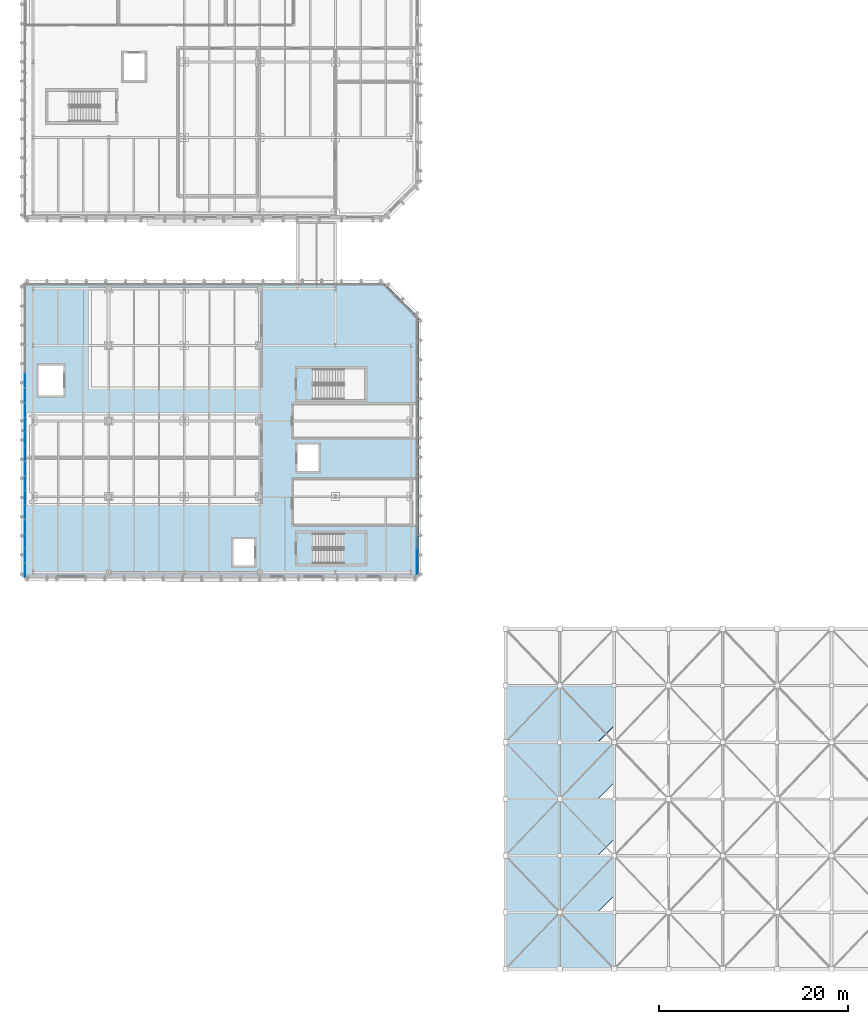
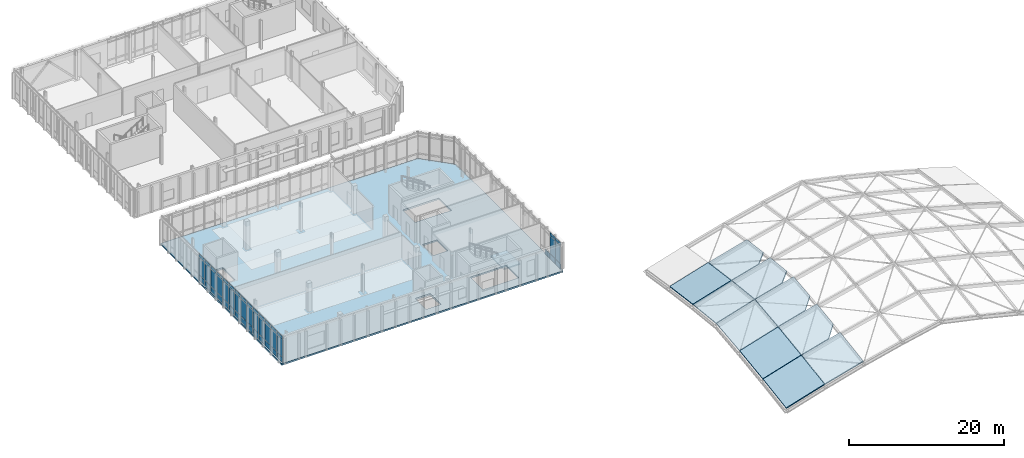
# One storey, part 29 of 62: 49 plates, 12 slabs, 6 elements without a shape of their own.
"""IFC4 building model written with IfcOpenShell, lengths in metres."""

from ifc_helpers import new_model, si_unit, direction, frame, origin, origin_2d, place, context, subcontext, project, spatial, polyline, rectangle, outline, extrude, material, layer, layer_set, type_object, element, aggregate, save


model = new_model("IFC4")

# Units and contexts
model_context = context("Model", 3, precision=1e-05, world=origin(), true_north=direction((0.0, 1.0)))
body_context = subcontext(model_context, "Body", "Model", "MODEL_VIEW")
ifc_project = project(units=[si_unit("LENGTHUNIT", "METRE"), si_unit("AREAUNIT", "SQUARE_METRE"), si_unit("VOLUMEUNIT", "CUBIC_METRE"), si_unit("PLANEANGLEUNIT", "RADIAN"), si_unit("MASSUNIT", "GRAM", prefix="KILO")], contexts=[model_context])

# Site, building, storey
site_placement = place(None, origin())
site = spatial("IfcSite", under=ifc_project, at=site_placement, CompositionType="ELEMENT")
building_placement = place(site_placement, origin())
building = spatial("IfcBuilding", under=site, at=building_placement, Name="Cymarion Research Institute", CompositionType="ELEMENT")
storey_placement = place(building_placement, frame((0.0, 0.0, 18.300048828125)))
storey = spatial("IfcBuildingStorey", under=building, at=storey_placement, Name="L04", CompositionType="ELEMENT", Elevation=18.300048828125)

# Slab
ifc_material_1 = material(Name="Concrete C35/45", Category="concrete")
ifc_layer_1 = layer(ifc_material_1, 0.25)
ifc_layer_set_1 = layer_set([ifc_layer_1], Name="Concrete C35/45")
slab_type_1 = type_object("IfcSlabType", Name="COMPOSITE FLOOR SLAB SL-FL250 250MM", PredefinedType="FLOOR", material=ifc_layer_set_1)
slab_1_placement = place(storey_placement, frame((0.0, 0.0, -0.25)))
element("IfcSlab", 1, at=slab_1_placement, inside=storey, type_object=slab_type_1, Name="L04 V4 floor slab", PredefinedType="FLOOR", context=body_context, shape_type="SweptSolid", body=[
    extrude(outline(polyline([(5.60009765625, 46.89990234375), (47.39990234375, 46.89990234375), (47.39990234375, 74.5), (43.800048828125, 78.10009765625), (5.60009765625, 78.10009765625), (5.60009765625, 46.89990234375)]), holes=[polyline([(36.340087890625, 48.39990234375), (41.699951171875, 48.39990234375), (41.699951171875, 51.60009765625), (36.340087890625, 51.60009765625), (36.340087890625, 48.39990234375)]), polyline([(27.800048828125, 48.199951171875), (30.0, 48.199951171875), (30.0, 51.0), (27.800048828125, 51.0), (27.800048828125, 48.199951171875)]), polyline([(36.340087890625, 65.800048828125), (41.699951171875, 65.800048828125), (41.699951171875, 69.0), (36.340087890625, 69.0), (36.340087890625, 65.800048828125)]), polyline([(34.60009765625, 58.199951171875), (36.800048828125, 58.199951171875), (36.800048828125, 61.0), (34.60009765625, 61.0), (34.60009765625, 58.199951171875)]), polyline([(7.199951171875, 66.199951171875), (9.800048828125, 66.199951171875), (9.800048828125, 69.39990234375), (7.199951171875, 69.39990234375), (7.199951171875, 66.199951171875)])]), origin(), (0.0, 0.0, 1.0), 0.25),
])

# Curtain wall, plates
ifc_material_2 = material(Name="Anodised aluminium unitised curtain wall with Low-E glazing", Category="aluminium")
curtain_wall_type_1 = type_object("IfcCurtainWallType", Name="UNITISED CURTAIN WALL CW40 6820X4280", PredefinedType="NOTDEFINED", material=ifc_material_2)
curtain_wall_1_placement = place(storey_placement, origin())
curtain_wall_1 = element("IfcCurtainWall", 2, at=curtain_wall_1_placement, inside=storey, type_object=curtain_wall_type_1, Name="L04 V4 unitised curtain wall CW40 #177", PredefinedType="NOTDEFINED")
ifc_material_3 = material(Name="Insulated anodised aluminium spandrel panel", Category="aluminium")
ifc_layer_2 = layer(ifc_material_3, 0.06005859375)
ifc_layer_set_2 = layer_set([ifc_layer_2], Name="Insulated anodised aluminium spandrel panel")
plate_type_1 = type_object("IfcPlateType", Name="INSULATED ALUMINIUM SPANDREL PANEL SP01 60MM", PredefinedType="SHEET", material=ifc_layer_set_2)
plate_1_placement = place(storey_placement, frame((47.22998046875, 47.9189453125, 0.059814453125), z_axis=(0.0, 0.0, 1.0), x_axis=(0.0, 1.0, 0.0)))
plate_1 = element("IfcPlate", 3, at=plate_1_placement, type_object=plate_type_1, Name="CW40 panel 1.1", PredefinedType="SHEET", context=body_context, shape_type="SweptSolid", body=[
    extrude(rectangle(XDim=1.27392578125, YDim=0.06005859375, at=origin_2d()), origin(), (0.0, 0.0, 1.0), 0.81005859375),
])
plate_2_placement = place(storey_placement, frame((47.22998046875, 47.9189453125, 3.760009765625), z_axis=(0.0, 0.0, 1.0), x_axis=(0.0, 1.0, 0.0)))
plate_2 = element("IfcPlate", 4, at=plate_2_placement, type_object=plate_type_1, Name="CW40 panel 1.3", PredefinedType="SHEET", context=body_context, shape_type="SweptSolid", body=[
    extrude(rectangle(XDim=1.27392578125, YDim=0.06005859375, at=origin_2d()), origin(), (0.0, 0.0, 1.0), 0.4599609375),
])
plate_3_placement = place(storey_placement, frame((47.22998046875, 49.267822265625, 0.059814453125), z_axis=(0.0, 0.0, 1.0), x_axis=(0.0, 1.0, 0.0)))
plate_3 = element("IfcPlate", 5, at=plate_3_placement, type_object=plate_type_1, Name="CW40 panel 2.1", PredefinedType="SHEET", context=body_context, shape_type="SweptSolid", body=[
    extrude(rectangle(XDim=1.303955078125, YDim=0.06005859375, at=origin_2d()), origin(), (0.0, 0.0, 1.0), 0.81005859375),
])
plate_4_placement = place(storey_placement, frame((47.22998046875, 49.267822265625, 3.760009765625), z_axis=(0.0, 0.0, 1.0), x_axis=(0.0, 1.0, 0.0)))
plate_4 = element("IfcPlate", 6, at=plate_4_placement, type_object=plate_type_1, Name="CW40 panel 2.3", PredefinedType="SHEET", context=body_context, shape_type="SweptSolid", body=[
    extrude(rectangle(XDim=1.303955078125, YDim=0.06005859375, at=origin_2d()), origin(), (0.0, 0.0, 1.0), 0.4599609375),
])
plate_5_placement = place(storey_placement, frame((47.22998046875, 50.6318359375, 0.059814453125), z_axis=(0.0, 0.0, 1.0), x_axis=(0.0, 1.0, 0.0)))
plate_5 = element("IfcPlate", 7, at=plate_5_placement, type_object=plate_type_1, Name="CW40 panel 3.1", PredefinedType="SHEET", context=body_context, shape_type="SweptSolid", body=[
    extrude(rectangle(XDim=1.303955078125, YDim=0.06005859375, at=origin_2d()), origin(), (0.0, 0.0, 1.0), 0.81005859375),
])

curtain_wall_type_2 = type_object("IfcCurtainWallType", Name="UNITISED CURTAIN WALL CW43 6180X4240", PredefinedType="NOTDEFINED", material=ifc_material_2)
curtain_wall_2_placement = place(storey_placement, origin())
curtain_wall_2 = element("IfcCurtainWall", 8, at=curtain_wall_2_placement, inside=storey, type_object=curtain_wall_type_2, Name="L04 V4 unitised curtain wall CW43 #189", PredefinedType="NOTDEFINED")
plate_6_placement = place(storey_placement, frame((5.77001953125, 67.74267578125, 0.059814453125), z_axis=(0.0, 0.0, 1.0), x_axis=(0.0, -1.0, 0.0)))
plate_6 = element("IfcPlate", 9, at=plate_6_placement, type_object=plate_type_1, Name="CW43 panel 3.1", PredefinedType="SHEET", context=body_context, shape_type="SweptSolid", body=[
    extrude(rectangle(XDim=1.48388671875, YDim=0.06005859375, at=origin_2d()), origin(), (0.0, 0.0, 1.0), 0.81005859375),
])
plate_7_placement = place(storey_placement, frame((5.77001953125, 67.74267578125, 3.719970703125), z_axis=(0.0, 0.0, 1.0), x_axis=(0.0, -1.0, 0.0)))
plate_7 = element("IfcPlate", 10, at=plate_7_placement, type_object=plate_type_1, Name="CW43 panel 3.3", PredefinedType="SHEET", context=body_context, shape_type="SweptSolid", body=[
    extrude(rectangle(XDim=1.48388671875, YDim=0.06005859375, at=origin_2d()), origin(), (0.0, 0.0, 1.0), 0.4599609375),
])
plate_8_placement = place(storey_placement, frame((5.77001953125, 66.2138671875, 0.059814453125), z_axis=(0.0, 0.0, 1.0), x_axis=(0.0, -1.0, 0.0)))
plate_8 = element("IfcPlate", 11, at=plate_8_placement, type_object=plate_type_1, Name="CW43 panel 4.1", PredefinedType="SHEET", context=body_context, shape_type="SweptSolid", body=[
    extrude(rectangle(XDim=1.453857421875, YDim=0.06005859375, at=origin_2d()), origin(), (0.0, 0.0, 1.0), 0.81005859375),
])
plate_9_placement = place(storey_placement, frame((5.77001953125, 66.2138671875, 3.719970703125), z_axis=(0.0, 0.0, 1.0), x_axis=(0.0, -1.0, 0.0)))
plate_9 = element("IfcPlate", 12, at=plate_9_placement, type_object=plate_type_1, Name="CW43 panel 4.3", PredefinedType="SHEET", context=body_context, shape_type="SweptSolid", body=[
    extrude(rectangle(XDim=1.453857421875, YDim=0.06005859375, at=origin_2d()), origin(), (0.0, 0.0, 1.0), 0.4599609375),
])

curtain_wall_3_placement = place(storey_placement, origin())
curtain_wall_3 = element("IfcCurtainWall", 13, at=curtain_wall_3_placement, inside=storey, type_object=curtain_wall_type_2, Name="L04 V4 unitised curtain wall CW43 #190", PredefinedType="NOTDEFINED")
plate_10_placement = place(storey_placement, frame((5.77001953125, 64.639892578125, 0.059814453125), z_axis=(0.0, 0.0, 1.0), x_axis=(0.0, -1.0, 0.0)))
plate_10 = element("IfcPlate", 14, at=plate_10_placement, type_object=plate_type_1, Name="CW43 panel 1.1", PredefinedType="SHEET", context=body_context, shape_type="SweptSolid", body=[
    extrude(rectangle(XDim=1.453857421875, YDim=0.06005859375, at=origin_2d()), origin(), (0.0, 0.0, 1.0), 0.81005859375),
])
plate_11_placement = place(storey_placement, frame((5.77001953125, 64.639892578125, 3.719970703125), z_axis=(0.0, 0.0, 1.0), x_axis=(0.0, -1.0, 0.0)))
plate_11 = element("IfcPlate", 15, at=plate_11_placement, type_object=plate_type_1, Name="CW43 panel 1.3", PredefinedType="SHEET", context=body_context, shape_type="SweptSolid", body=[
    extrude(rectangle(XDim=1.453857421875, YDim=0.06005859375, at=origin_2d()), origin(), (0.0, 0.0, 1.0), 0.4599609375),
])
plate_12_placement = place(storey_placement, frame((5.77001953125, 63.11083984375, 0.059814453125), z_axis=(0.0, 0.0, 1.0), x_axis=(0.0, -1.0, 0.0)))
plate_12 = element("IfcPlate", 16, at=plate_12_placement, type_object=plate_type_1, Name="CW43 panel 2.1", PredefinedType="SHEET", context=body_context, shape_type="SweptSolid", body=[
    extrude(rectangle(XDim=1.48388671875, YDim=0.06005859375, at=origin_2d()), origin(), (0.0, 0.0, 1.0), 0.81005859375),
])
plate_13_placement = place(storey_placement, frame((5.77001953125, 63.11083984375, 3.719970703125), z_axis=(0.0, 0.0, 1.0), x_axis=(0.0, -1.0, 0.0)))
plate_13 = element("IfcPlate", 17, at=plate_13_placement, type_object=plate_type_1, Name="CW43 panel 2.3", PredefinedType="SHEET", context=body_context, shape_type="SweptSolid", body=[
    extrude(rectangle(XDim=1.48388671875, YDim=0.06005859375, at=origin_2d()), origin(), (0.0, 0.0, 1.0), 0.4599609375),
])
plate_14_placement = place(storey_placement, frame((5.77001953125, 61.567138671875, 0.059814453125), z_axis=(0.0, 0.0, 1.0), x_axis=(0.0, -1.0, 0.0)))
plate_14 = element("IfcPlate", 18, at=plate_14_placement, type_object=plate_type_1, Name="CW43 panel 3.1", PredefinedType="SHEET", context=body_context, shape_type="SweptSolid", body=[
    extrude(rectangle(XDim=1.48388671875, YDim=0.06005859375, at=origin_2d()), origin(), (0.0, 0.0, 1.0), 0.81005859375),
])
plate_15_placement = place(storey_placement, frame((5.77001953125, 61.567138671875, 3.719970703125), z_axis=(0.0, 0.0, 1.0), x_axis=(0.0, -1.0, 0.0)))
plate_15 = element("IfcPlate", 19, at=plate_15_placement, type_object=plate_type_1, Name="CW43 panel 3.3", PredefinedType="SHEET", context=body_context, shape_type="SweptSolid", body=[
    extrude(rectangle(XDim=1.48388671875, YDim=0.06005859375, at=origin_2d()), origin(), (0.0, 0.0, 1.0), 0.4599609375),
])
plate_16_placement = place(storey_placement, frame((5.77001953125, 60.0380859375, 0.059814453125), z_axis=(0.0, 0.0, 1.0), x_axis=(0.0, -1.0, 0.0)))
plate_16 = element("IfcPlate", 20, at=plate_16_placement, type_object=plate_type_1, Name="CW43 panel 4.1", PredefinedType="SHEET", context=body_context, shape_type="SweptSolid", body=[
    extrude(rectangle(XDim=1.453857421875, YDim=0.06005859375, at=origin_2d()), origin(), (0.0, 0.0, 1.0), 0.81005859375),
])
plate_17_placement = place(storey_placement, frame((5.77001953125, 60.0380859375, 3.719970703125), z_axis=(0.0, 0.0, 1.0), x_axis=(0.0, -1.0, 0.0)))
plate_17 = element("IfcPlate", 21, at=plate_17_placement, type_object=plate_type_1, Name="CW43 panel 4.3", PredefinedType="SHEET", context=body_context, shape_type="SweptSolid", body=[
    extrude(rectangle(XDim=1.453857421875, YDim=0.06005859375, at=origin_2d()), origin(), (0.0, 0.0, 1.0), 0.4599609375),
])

curtain_wall_4_placement = place(storey_placement, origin())
curtain_wall_4 = element("IfcCurtainWall", 22, at=curtain_wall_4_placement, inside=storey, type_object=curtain_wall_type_2, Name="L04 V4 unitised curtain wall CW43 #191", PredefinedType="NOTDEFINED")
plate_18_placement = place(storey_placement, frame((5.77001953125, 58.46435546875, 0.059814453125), z_axis=(0.0, 0.0, 1.0), x_axis=(0.0, -1.0, 0.0)))
plate_18 = element("IfcPlate", 23, at=plate_18_placement, type_object=plate_type_1, Name="CW43 panel 1.1", PredefinedType="SHEET", context=body_context, shape_type="SweptSolid", body=[
    extrude(rectangle(XDim=1.453857421875, YDim=0.06005859375, at=origin_2d()), origin(), (0.0, 0.0, 1.0), 0.81005859375),
])
plate_19_placement = place(storey_placement, frame((5.77001953125, 58.46435546875, 3.719970703125), z_axis=(0.0, 0.0, 1.0), x_axis=(0.0, -1.0, 0.0)))
plate_19 = element("IfcPlate", 24, at=plate_19_placement, type_object=plate_type_1, Name="CW43 panel 1.3", PredefinedType="SHEET", context=body_context, shape_type="SweptSolid", body=[
    extrude(rectangle(XDim=1.453857421875, YDim=0.06005859375, at=origin_2d()), origin(), (0.0, 0.0, 1.0), 0.4599609375),
])
plate_20_placement = place(storey_placement, frame((5.77001953125, 56.935302734375, 0.059814453125), z_axis=(0.0, 0.0, 1.0), x_axis=(0.0, -1.0, 0.0)))
plate_20 = element("IfcPlate", 25, at=plate_20_placement, type_object=plate_type_1, Name="CW43 panel 2.1", PredefinedType="SHEET", context=body_context, shape_type="SweptSolid", body=[
    extrude(rectangle(XDim=1.48388671875, YDim=0.06005859375, at=origin_2d()), origin(), (0.0, 0.0, 1.0), 0.81005859375),
])
plate_21_placement = place(storey_placement, frame((5.77001953125, 56.935302734375, 3.719970703125), z_axis=(0.0, 0.0, 1.0), x_axis=(0.0, -1.0, 0.0)))
plate_21 = element("IfcPlate", 26, at=plate_21_placement, type_object=plate_type_1, Name="CW43 panel 2.3", PredefinedType="SHEET", context=body_context, shape_type="SweptSolid", body=[
    extrude(rectangle(XDim=1.48388671875, YDim=0.06005859375, at=origin_2d()), origin(), (0.0, 0.0, 1.0), 0.4599609375),
])
plate_22_placement = place(storey_placement, frame((5.77001953125, 55.391357421875, 0.059814453125), z_axis=(0.0, 0.0, 1.0), x_axis=(0.0, -1.0, 0.0)))
plate_22 = element("IfcPlate", 27, at=plate_22_placement, type_object=plate_type_1, Name="CW43 panel 3.1", PredefinedType="SHEET", context=body_context, shape_type="SweptSolid", body=[
    extrude(rectangle(XDim=1.48388671875, YDim=0.06005859375, at=origin_2d()), origin(), (0.0, 0.0, 1.0), 0.81005859375),
])
plate_23_placement = place(storey_placement, frame((5.77001953125, 55.391357421875, 3.719970703125), z_axis=(0.0, 0.0, 1.0), x_axis=(0.0, -1.0, 0.0)))
plate_23 = element("IfcPlate", 28, at=plate_23_placement, type_object=plate_type_1, Name="CW43 panel 3.3", PredefinedType="SHEET", context=body_context, shape_type="SweptSolid", body=[
    extrude(rectangle(XDim=1.48388671875, YDim=0.06005859375, at=origin_2d()), origin(), (0.0, 0.0, 1.0), 0.4599609375),
])
plate_24_placement = place(storey_placement, frame((5.77001953125, 53.862548828125, 0.059814453125), z_axis=(0.0, 0.0, 1.0), x_axis=(0.0, -1.0, 0.0)))
plate_24 = element("IfcPlate", 29, at=plate_24_placement, type_object=plate_type_1, Name="CW43 panel 4.1", PredefinedType="SHEET", context=body_context, shape_type="SweptSolid", body=[
    extrude(rectangle(XDim=1.453857421875, YDim=0.06005859375, at=origin_2d()), origin(), (0.0, 0.0, 1.0), 0.81005859375),
])
plate_25_placement = place(storey_placement, frame((5.77001953125, 53.862548828125, 3.719970703125), z_axis=(0.0, 0.0, 1.0), x_axis=(0.0, -1.0, 0.0)))
plate_25 = element("IfcPlate", 30, at=plate_25_placement, type_object=plate_type_1, Name="CW43 panel 4.3", PredefinedType="SHEET", context=body_context, shape_type="SweptSolid", body=[
    extrude(rectangle(XDim=1.453857421875, YDim=0.06005859375, at=origin_2d()), origin(), (0.0, 0.0, 1.0), 0.4599609375),
])

curtain_wall_5_placement = place(storey_placement, origin())
curtain_wall_5 = element("IfcCurtainWall", 31, at=curtain_wall_5_placement, inside=storey, type_object=curtain_wall_type_2, Name="L04 V4 unitised curtain wall CW43 #192", PredefinedType="NOTDEFINED")
plate_26_placement = place(storey_placement, frame((5.77001953125, 52.28857421875, 0.059814453125), z_axis=(0.0, 0.0, 1.0), x_axis=(0.0, -1.0, 0.0)))
plate_26 = element("IfcPlate", 32, at=plate_26_placement, type_object=plate_type_1, Name="CW43 panel 1.1", PredefinedType="SHEET", context=body_context, shape_type="SweptSolid", body=[
    extrude(rectangle(XDim=1.453857421875, YDim=0.06005859375, at=origin_2d()), origin(), (0.0, 0.0, 1.0), 0.81005859375),
])
plate_27_placement = place(storey_placement, frame((5.77001953125, 52.28857421875, 3.719970703125), z_axis=(0.0, 0.0, 1.0), x_axis=(0.0, -1.0, 0.0)))
plate_27 = element("IfcPlate", 33, at=plate_27_placement, type_object=plate_type_1, Name="CW43 panel 1.3", PredefinedType="SHEET", context=body_context, shape_type="SweptSolid", body=[
    extrude(rectangle(XDim=1.453857421875, YDim=0.06005859375, at=origin_2d()), origin(), (0.0, 0.0, 1.0), 0.4599609375),
])
plate_28_placement = place(storey_placement, frame((5.77001953125, 50.759765625, 0.059814453125), z_axis=(0.0, 0.0, 1.0), x_axis=(0.0, -1.0, 0.0)))
plate_28 = element("IfcPlate", 34, at=plate_28_placement, type_object=plate_type_1, Name="CW43 panel 2.1", PredefinedType="SHEET", context=body_context, shape_type="SweptSolid", body=[
    extrude(rectangle(XDim=1.48388671875, YDim=0.06005859375, at=origin_2d()), origin(), (0.0, 0.0, 1.0), 0.81005859375),
])
plate_29_placement = place(storey_placement, frame((5.77001953125, 50.759765625, 3.719970703125), z_axis=(0.0, 0.0, 1.0), x_axis=(0.0, -1.0, 0.0)))
plate_29 = element("IfcPlate", 35, at=plate_29_placement, type_object=plate_type_1, Name="CW43 panel 2.3", PredefinedType="SHEET", context=body_context, shape_type="SweptSolid", body=[
    extrude(rectangle(XDim=1.48388671875, YDim=0.06005859375, at=origin_2d()), origin(), (0.0, 0.0, 1.0), 0.4599609375),
])
plate_30_placement = place(storey_placement, frame((5.77001953125, 49.2158203125, 0.059814453125), z_axis=(0.0, 0.0, 1.0), x_axis=(0.0, -1.0, 0.0)))
plate_30 = element("IfcPlate", 36, at=plate_30_placement, type_object=plate_type_1, Name="CW43 panel 3.1", PredefinedType="SHEET", context=body_context, shape_type="SweptSolid", body=[
    extrude(rectangle(XDim=1.48388671875, YDim=0.06005859375, at=origin_2d()), origin(), (0.0, 0.0, 1.0), 0.81005859375),
])
plate_31_placement = place(storey_placement, frame((5.77001953125, 49.2158203125, 3.719970703125), z_axis=(0.0, 0.0, 1.0), x_axis=(0.0, -1.0, 0.0)))
plate_31 = element("IfcPlate", 37, at=plate_31_placement, type_object=plate_type_1, Name="CW43 panel 3.3", PredefinedType="SHEET", context=body_context, shape_type="SweptSolid", body=[
    extrude(rectangle(XDim=1.48388671875, YDim=0.06005859375, at=origin_2d()), origin(), (0.0, 0.0, 1.0), 0.4599609375),
])
plate_32_placement = place(storey_placement, frame((5.77001953125, 47.68701171875, 0.059814453125), z_axis=(0.0, 0.0, 1.0), x_axis=(0.0, -1.0, 0.0)))
plate_32 = element("IfcPlate", 38, at=plate_32_placement, type_object=plate_type_1, Name="CW43 panel 4.1", PredefinedType="SHEET", context=body_context, shape_type="SweptSolid", body=[
    extrude(rectangle(XDim=1.453857421875, YDim=0.06005859375, at=origin_2d()), origin(), (0.0, 0.0, 1.0), 0.81005859375),
])
plate_33_placement = place(storey_placement, frame((5.77001953125, 47.68701171875, 3.719970703125), z_axis=(0.0, 0.0, 1.0), x_axis=(0.0, -1.0, 0.0)))
plate_33 = element("IfcPlate", 39, at=plate_33_placement, type_object=plate_type_1, Name="CW43 panel 4.3", PredefinedType="SHEET", context=body_context, shape_type="SweptSolid", body=[
    extrude(rectangle(XDim=1.453857421875, YDim=0.06005859375, at=origin_2d()), origin(), (0.0, 0.0, 1.0), 0.4599609375),
])

# Stair, slab
stair_type = type_object("IfcStairType", Name="REINFORCED CONCRETE DOGLEG STAIR STR-4500", PredefinedType="HALF_TURN_STAIR", material=ifc_material_1)
stair_placement = place(storey_placement, origin())
stair = element("IfcStair", 40, at=stair_placement, inside=storey, type_object=stair_type, Name="L04 Core C7 Smoke-Proof Exit Stair ST7", PredefinedType="HALF_TURN_STAIR")
ifc_layer_3 = layer(ifc_material_1, 0.199951171875)
ifc_layer_set_3 = layer_set([ifc_layer_3], Name="Concrete C35/45")
slab_type_2 = type_object("IfcSlabType", Name="REINFORCED CONCRETE STAIR LANDING LDG200", PredefinedType="LANDING", material=ifc_layer_set_3)
slab_2_placement = place(storey_placement, frame((0.0, 0.0, 2.050048828125)))
slab_2 = element("IfcSlab", 41, at=slab_2_placement, type_object=slab_type_2, Name="ST7 landing 1", PredefinedType="LANDING", context=body_context, shape_type="SweptSolid", body=[
    extrude(outline(polyline([(39.3798828125, 48.280029296875), (39.3798828125, 51.719970703125), (41.820068359375, 51.719970703125), (41.820068359375, 48.280029296875), (39.3798828125, 48.280029296875)])), origin(), (0.0, 0.0, 1.0), 0.199951171875),
])
aggregate(stair, [slab_2])

# Slabs
ifc_layer_4 = layer(ifc_material_1, 0.179931640625)
ifc_layer_set_4 = layer_set([ifc_layer_4], Name="Concrete C35/45")
slab_type_3 = type_object("IfcSlabType", Name="ROOF SLAB SL-RF180 180MM", PredefinedType="ROOF", material=ifc_layer_set_4)
slab_3_placement = place(storey_placement, frame((56.625, 5.52490234375, 0.3115234375), z_axis=(-0.28953152297, -0.146604345564, 0.945874549329), x_axis=(0.956206278061, -2.839706e-06, 0.292693617609)))
element("IfcSlab", 42, at=slab_3_placement, inside=storey, type_object=slab_type_3, Name="Translational gridshell roof cassette B1-1", PredefinedType="ROOF", context=body_context, shape_type="SweptSolid", body=[
    extrude(outline(polyline([(0.0, 0.0), (5.960970841142449, 2.7755575615628914e-17), (6.230923789873144, 6.015206037338629), (0.2698814903279593, 6.015171812529594), (0.0, 0.0)])), origin(), (0.0, 0.0, -1.0), 0.179931640625),
])
slab_4_placement = place(storey_placement, frame((56.625, 11.52490234375, 1.240966796875), z_axis=(-0.290267122609, -0.128017884966, 0.948344040241), x_axis=(0.956211886068, 0.0, 0.292675296091)))
element("IfcSlab", 43, at=slab_4_placement, inside=storey, type_object=slab_type_3, Name="Translational gridshell roof cassette B1-2", PredefinedType="ROOF", context=body_context, shape_type="SweptSolid", body=[
    extrude(outline(polyline([(0.0, 0.0), (5.960970842260702, 0.0), (6.196054271005877, 5.999560540067889), (0.23508342874517463, 5.999560540067889), (0.0, 0.0)])), origin(), (0.0, 0.0, -1.0), 0.179931640625),
])
slab_5_placement = place(storey_placement, frame((56.625, 17.52490234375, 2.05029296875), z_axis=(-0.291088735985, -0.104589413494, 0.950961830132), x_axis=(0.956206092185, 2.036754e-06, 0.292694224856)))
element("IfcSlab", 44, at=slab_5_placement, inside=storey, type_object=slab_type_3, Name="Translational gridshell roof cassette B1-3", PredefinedType="ROOF", context=body_context, shape_type="SweptSolid", body=[
    extrude(outline(polyline([(0.0, 0.0), (5.961042299631373, -2.7755575615628914e-17), (6.152563335371748, 5.982996601781179), (0.1915924942913647, 5.983021017904588), (0.0, 0.0)])), origin(), (0.0, 0.0, -1.0), 0.179931640625),
])
slab_6_placement = place(storey_placement, frame((56.625, 23.52490234375, 2.704833984375), z_axis=(-0.291088735985, 0.104589413494, 0.950961830132), x_axis=(0.956206217575, 2.036779e-06, 0.292693815219)))
element("IfcSlab", 45, at=slab_6_placement, inside=storey, type_object=slab_type_3, Name="Translational gridshell roof cassette B1-4", PredefinedType="ROOF", context=body_context, shape_type="SweptSolid", body=[
    extrude(outline(polyline([(0.0, 0.0), (5.960970841130387, 0.0), (5.7694743117324965, 5.98299738620073), (-0.19156798784887283, 5.9830218026168325), (0.0, 0.0)])), origin(), (0.0, 0.0, -1.0), 0.179931640625),
])
slab_7_placement = place(storey_placement, frame((56.625, 29.52490234375, 2.044189453125), z_axis=(-0.290267122609, 0.128017884966, 0.948344040241), x_axis=(0.956211886068, 0.0, 0.292675296091)))
element("IfcSlab", 46, at=slab_7_placement, inside=storey, type_object=slab_type_3, Name="Translational gridshell roof cassette B1-5", PredefinedType="ROOF", context=body_context, shape_type="SweptSolid", body=[
    extrude(outline(polyline([(0.0, 0.0), (5.960970842260702, 0.0), (5.725887413515527, 5.999560540067888), (-0.23508342874517463, 5.999560540067889), (0.0, 0.0)])), origin(), (0.0, 0.0, -1.0), 0.179931640625),
])
slab_8_placement = place(storey_placement, frame((62.375, 5.52490234375, 2.07080078125), z_axis=(-0.265153979791, -0.14766316809, 0.952832071139), x_axis=(0.963393066788, 0.0, 0.268092892231)))
element("IfcSlab", 47, at=slab_8_placement, inside=storey, type_object=slab_type_3, Name="Translational gridshell roof cassette B2-1", PredefinedType="ROOF", context=body_context, shape_type="SweptSolid", body=[
    extrude(outline(polyline([(0.0, 0.0), (5.9165374636534676, -2.7755575615628914e-17), (6.163751051045356, 6.016146059448092), (0.24721358739188834, 6.016146059448092), (0.0, 0.0)])), origin(), (0.0, 0.0, -1.0), 0.179931640625),
])
slab_9_placement = place(storey_placement, frame((62.375, 11.52490234375, 3.000244140625), z_axis=(-0.265850445446, -0.128970752485, 0.955348148928), x_axis=(0.96339410172, -1.983022e-06, 0.268089173165)))
element("IfcSlab", 48, at=slab_9_placement, inside=storey, type_object=slab_type_3, Name="Translational gridshell roof cassette B2-2", PredefinedType="ROOF", context=body_context, shape_type="SweptSolid", body=[
    extrude(outline(polyline([(0.0, 0.0), (4.151969605231998, 2.7755575615628914e-17), (5.978058462867129, 1.7145249858192924), (6.131860962008857, 6.000316796191263), (0.2153234984111094, 6.000302215848467), (0.0, 0.0)])), origin(), (0.0, 0.0, -1.0), 0.179931640625),
])
slab_10_placement = place(storey_placement, frame((62.375, 17.52490234375, 3.8095703125), z_axis=(-0.266596605059, -0.105393579655, 0.958028414787), x_axis=(0.96339400016, -1.656122e-06, 0.268089538127)))
element("IfcSlab", 49, at=slab_10_placement, inside=storey, type_object=slab_type_3, Name="Translational gridshell roof cassette B2-3", PredefinedType="ROOF", context=body_context, shape_type="SweptSolid", body=[
    extrude(outline(polyline([(0.0, 0.0), (4.151969605210188, -1.3877787807814457e-17), (5.9666705331834, 1.7097265572364841), (6.0920032079268145, 5.983527601249923), (0.17546574431731843, 5.983515686342937), (0.0, 0.0)])), origin(), (0.0, 0.0, -1.0), 0.179931640625),
])
slab_11_placement = place(storey_placement, frame((62.375, 23.52490234375, 4.464111328125), z_axis=(-0.266599496846, 0.105379808797, 0.958029124912), x_axis=(0.963393308178, 1.929426e-06, 0.268092024787)))
element("IfcSlab", 50, at=slab_11_placement, inside=storey, type_object=slab_type_3, Name="Translational gridshell roof cassette B2-4", PredefinedType="ROOF", context=body_context, shape_type="SweptSolid", body=[
    extrude(outline(polyline([(0.0, 0.0), (4.151969605026859, 0.0), (5.866404393703246, 1.709702729180176), (5.7410717179191195, 5.983503772983143), (-0.17546574572093734, 5.983515686333313), (0.0, 0.0)])), origin(), (0.0, 0.0, -1.0), 0.179931640625),
])
slab_12_placement = place(storey_placement, frame((62.375, 29.52490234375, 3.803466796875), z_axis=(-0.265853982835, 0.128957058907, 0.955349013067), x_axis=(0.963393257296, 2.392413e-06, 0.26809220763)))
element("IfcSlab", 51, at=slab_12_placement, inside=storey, type_object=slab_type_3, Name="Translational gridshell roof cassette B2-5", PredefinedType="ROOF", context=body_context, shape_type="SweptSolid", body=[
    extrude(outline(polyline([(0.0, 0.0), (4.151969605008283, 0.0), (5.855016464023721, 1.7144958269268702), (5.701213963827248, 6.000287637042009), (-0.21532349980779328, 6.000302215836724), (0.0, 0.0)])), origin(), (0.0, 0.0, -1.0), 0.179931640625),
])

# Plate
ifc_material_4 = material(Name="Low-E double solar-control glazing", Category="glass")
ifc_layer_5 = layer(ifc_material_4, 0.035888671875)
ifc_layer_set_5 = layer_set([ifc_layer_5], Name="Low-E double solar-control glazing")
plate_type_2 = type_object("IfcPlateType", Name="SOLAR CONTROL GLAZED VISION PANEL GP01 36MM", PredefinedType="CURTAIN_PANEL", material=ifc_layer_set_5)
plate_34_placement = place(storey_placement, frame((47.22998046875, 47.9189453125, 0.929931640625), z_axis=(0.0, 0.0, 1.0), x_axis=(0.0, 1.0, 0.0)))
plate_34 = element("IfcPlate", 52, at=plate_34_placement, type_object=plate_type_2, Name="CW40 panel 1.2", PredefinedType="CURTAIN_PANEL", context=body_context, shape_type="SweptSolid", body=[
    extrude(rectangle(XDim=1.27392578125, YDim=0.035888671875, at=origin_2d()), origin(), (0.0, 0.0, 1.0), 2.77001953125),
])

plate_35_placement = place(storey_placement, frame((47.22998046875, 49.267822265625, 0.929931640625), z_axis=(0.0, 0.0, 1.0), x_axis=(0.0, 1.0, 0.0)))
plate_35 = element("IfcPlate", 53, at=plate_35_placement, type_object=plate_type_2, Name="CW40 panel 2.2", PredefinedType="CURTAIN_PANEL", context=body_context, shape_type="SweptSolid", body=[
    extrude(rectangle(XDim=1.303955078125, YDim=0.035888671875, at=origin_2d()), origin(), (0.0, 0.0, 1.0), 2.77001953125),
])

aggregate(curtain_wall_1, [plate_1, plate_34, plate_2, plate_3, plate_35, plate_4, plate_5])

plate_36_placement = place(storey_placement, frame((5.77001953125, 67.74267578125, 0.929931640625), z_axis=(0.0, 0.0, 1.0), x_axis=(0.0, -1.0, 0.0)))
plate_36 = element("IfcPlate", 54, at=plate_36_placement, type_object=plate_type_2, Name="CW43 panel 3.2", PredefinedType="CURTAIN_PANEL", context=body_context, shape_type="SweptSolid", body=[
    extrude(rectangle(XDim=1.48388671875, YDim=0.035888671875, at=origin_2d()), origin(), (0.0, 0.0, 1.0), 2.72998046875),
])

plate_37_placement = place(storey_placement, frame((5.77001953125, 66.2138671875, 0.929931640625), z_axis=(0.0, 0.0, 1.0), x_axis=(0.0, -1.0, 0.0)))
plate_37 = element("IfcPlate", 55, at=plate_37_placement, type_object=plate_type_2, Name="CW43 panel 4.2", PredefinedType="CURTAIN_PANEL", context=body_context, shape_type="SweptSolid", body=[
    extrude(rectangle(XDim=1.453857421875, YDim=0.035888671875, at=origin_2d()), origin(), (0.0, 0.0, 1.0), 2.72998046875),
])

aggregate(curtain_wall_2, [plate_6, plate_36, plate_7, plate_8, plate_37, plate_9])

plate_38_placement = place(storey_placement, frame((5.77001953125, 64.639892578125, 0.929931640625), z_axis=(0.0, 0.0, 1.0), x_axis=(0.0, -1.0, 0.0)))
plate_38 = element("IfcPlate", 56, at=plate_38_placement, type_object=plate_type_2, Name="CW43 panel 1.2", PredefinedType="CURTAIN_PANEL", context=body_context, shape_type="SweptSolid", body=[
    extrude(rectangle(XDim=1.453857421875, YDim=0.035888671875, at=origin_2d()), origin(), (0.0, 0.0, 1.0), 2.72998046875),
])

plate_39_placement = place(storey_placement, frame((5.77001953125, 63.11083984375, 0.929931640625), z_axis=(0.0, 0.0, 1.0), x_axis=(0.0, -1.0, 0.0)))
plate_39 = element("IfcPlate", 57, at=plate_39_placement, type_object=plate_type_2, Name="CW43 panel 2.2", PredefinedType="CURTAIN_PANEL", context=body_context, shape_type="SweptSolid", body=[
    extrude(rectangle(XDim=1.48388671875, YDim=0.035888671875, at=origin_2d()), origin(), (0.0, 0.0, 1.0), 2.72998046875),
])

plate_40_placement = place(storey_placement, frame((5.77001953125, 61.567138671875, 0.929931640625), z_axis=(0.0, 0.0, 1.0), x_axis=(0.0, -1.0, 0.0)))
plate_40 = element("IfcPlate", 58, at=plate_40_placement, type_object=plate_type_2, Name="CW43 panel 3.2", PredefinedType="CURTAIN_PANEL", context=body_context, shape_type="SweptSolid", body=[
    extrude(rectangle(XDim=1.48388671875, YDim=0.035888671875, at=origin_2d()), origin(), (0.0, 0.0, 1.0), 2.72998046875),
])

plate_41_placement = place(storey_placement, frame((5.77001953125, 60.0380859375, 0.929931640625), z_axis=(0.0, 0.0, 1.0), x_axis=(0.0, -1.0, 0.0)))
plate_41 = element("IfcPlate", 59, at=plate_41_placement, type_object=plate_type_2, Name="CW43 panel 4.2", PredefinedType="CURTAIN_PANEL", context=body_context, shape_type="SweptSolid", body=[
    extrude(rectangle(XDim=1.453857421875, YDim=0.035888671875, at=origin_2d()), origin(), (0.0, 0.0, 1.0), 2.72998046875),
])

aggregate(curtain_wall_3, [plate_10, plate_38, plate_11, plate_12, plate_39, plate_13, plate_14, plate_40, plate_15, plate_16, plate_41, plate_17])

plate_42_placement = place(storey_placement, frame((5.77001953125, 58.46435546875, 0.929931640625), z_axis=(0.0, 0.0, 1.0), x_axis=(0.0, -1.0, 0.0)))
plate_42 = element("IfcPlate", 60, at=plate_42_placement, type_object=plate_type_2, Name="CW43 panel 1.2", PredefinedType="CURTAIN_PANEL", context=body_context, shape_type="SweptSolid", body=[
    extrude(rectangle(XDim=1.453857421875, YDim=0.035888671875, at=origin_2d()), origin(), (0.0, 0.0, 1.0), 2.72998046875),
])

plate_43_placement = place(storey_placement, frame((5.77001953125, 56.935302734375, 0.929931640625), z_axis=(0.0, 0.0, 1.0), x_axis=(0.0, -1.0, 0.0)))
plate_43 = element("IfcPlate", 61, at=plate_43_placement, type_object=plate_type_2, Name="CW43 panel 2.2", PredefinedType="CURTAIN_PANEL", context=body_context, shape_type="SweptSolid", body=[
    extrude(rectangle(XDim=1.48388671875, YDim=0.035888671875, at=origin_2d()), origin(), (0.0, 0.0, 1.0), 2.72998046875),
])

plate_44_placement = place(storey_placement, frame((5.77001953125, 55.391357421875, 0.929931640625), z_axis=(0.0, 0.0, 1.0), x_axis=(0.0, -1.0, 0.0)))
plate_44 = element("IfcPlate", 62, at=plate_44_placement, type_object=plate_type_2, Name="CW43 panel 3.2", PredefinedType="CURTAIN_PANEL", context=body_context, shape_type="SweptSolid", body=[
    extrude(rectangle(XDim=1.48388671875, YDim=0.035888671875, at=origin_2d()), origin(), (0.0, 0.0, 1.0), 2.72998046875),
])

plate_45_placement = place(storey_placement, frame((5.77001953125, 53.862548828125, 0.929931640625), z_axis=(0.0, 0.0, 1.0), x_axis=(0.0, -1.0, 0.0)))
plate_45 = element("IfcPlate", 63, at=plate_45_placement, type_object=plate_type_2, Name="CW43 panel 4.2", PredefinedType="CURTAIN_PANEL", context=body_context, shape_type="SweptSolid", body=[
    extrude(rectangle(XDim=1.453857421875, YDim=0.035888671875, at=origin_2d()), origin(), (0.0, 0.0, 1.0), 2.72998046875),
])

aggregate(curtain_wall_4, [plate_18, plate_42, plate_19, plate_20, plate_43, plate_21, plate_22, plate_44, plate_23, plate_24, plate_45, plate_25])

plate_46_placement = place(storey_placement, frame((5.77001953125, 52.28857421875, 0.929931640625), z_axis=(0.0, 0.0, 1.0), x_axis=(0.0, -1.0, 0.0)))
plate_46 = element("IfcPlate", 64, at=plate_46_placement, type_object=plate_type_2, Name="CW43 panel 1.2", PredefinedType="CURTAIN_PANEL", context=body_context, shape_type="SweptSolid", body=[
    extrude(rectangle(XDim=1.453857421875, YDim=0.035888671875, at=origin_2d()), origin(), (0.0, 0.0, 1.0), 2.72998046875),
])

plate_47_placement = place(storey_placement, frame((5.77001953125, 50.759765625, 0.929931640625), z_axis=(0.0, 0.0, 1.0), x_axis=(0.0, -1.0, 0.0)))
plate_47 = element("IfcPlate", 65, at=plate_47_placement, type_object=plate_type_2, Name="CW43 panel 2.2", PredefinedType="CURTAIN_PANEL", context=body_context, shape_type="SweptSolid", body=[
    extrude(rectangle(XDim=1.48388671875, YDim=0.035888671875, at=origin_2d()), origin(), (0.0, 0.0, 1.0), 2.72998046875),
])

plate_48_placement = place(storey_placement, frame((5.77001953125, 49.2158203125, 0.929931640625), z_axis=(0.0, 0.0, 1.0), x_axis=(0.0, -1.0, 0.0)))
plate_48 = element("IfcPlate", 66, at=plate_48_placement, type_object=plate_type_2, Name="CW43 panel 3.2", PredefinedType="CURTAIN_PANEL", context=body_context, shape_type="SweptSolid", body=[
    extrude(rectangle(XDim=1.48388671875, YDim=0.035888671875, at=origin_2d()), origin(), (0.0, 0.0, 1.0), 2.72998046875),
])

plate_49_placement = place(storey_placement, frame((5.77001953125, 47.68701171875, 0.929931640625), z_axis=(0.0, 0.0, 1.0), x_axis=(0.0, -1.0, 0.0)))
plate_49 = element("IfcPlate", 67, at=plate_49_placement, type_object=plate_type_2, Name="CW43 panel 4.2", PredefinedType="CURTAIN_PANEL", context=body_context, shape_type="SweptSolid", body=[
    extrude(rectangle(XDim=1.453857421875, YDim=0.035888671875, at=origin_2d()), origin(), (0.0, 0.0, 1.0), 2.72998046875),
])

aggregate(curtain_wall_5, [plate_26, plate_46, plate_27, plate_28, plate_47, plate_29, plate_30, plate_48, plate_31, plate_32, plate_49, plate_33])

save(model, "model.ifc")
